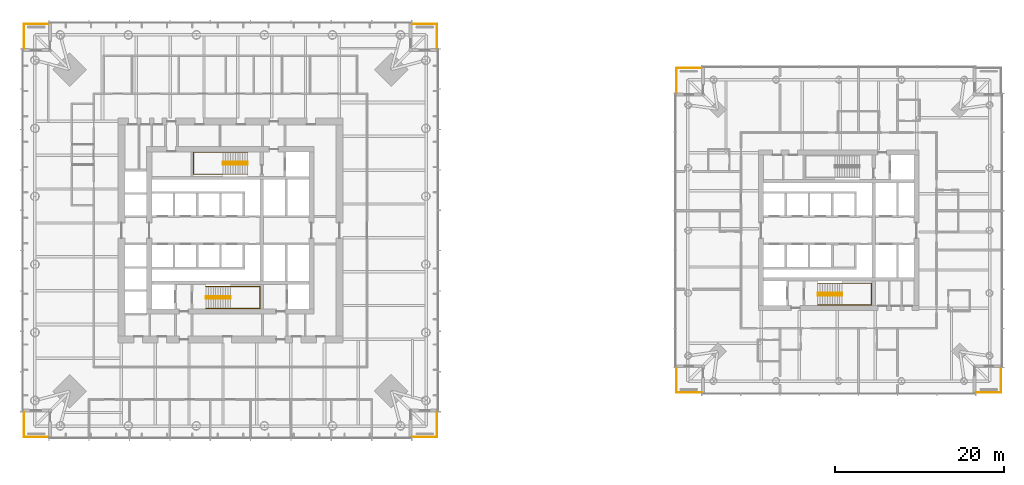
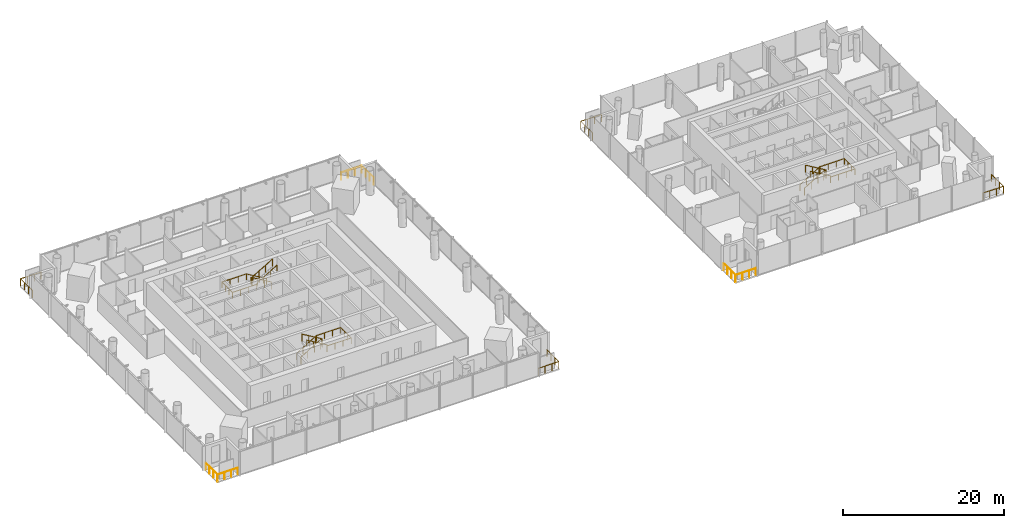
# One storey, part 20 of 21: 13 railings.
"""IFC4 building model written with IfcOpenShell, lengths in metres."""

from ifc_helpers import new_model, si_unit, direction, frame, origin, origin_2d, place, context, subcontext, project, spatial, circle, extrude, material, type_object, element, save


model = new_model("IFC4")

# Units and contexts
model_context = context("Model", 3, precision=1e-05, world=origin(), true_north=direction((0.0, 1.0)))
body_context = subcontext(model_context, "Body", "Model", "MODEL_VIEW")
ifc_project = project(units=[si_unit("LENGTHUNIT", "METRE"), si_unit("AREAUNIT", "SQUARE_METRE"), si_unit("VOLUMEUNIT", "CUBIC_METRE"), si_unit("PLANEANGLEUNIT", "RADIAN"), si_unit("MASSUNIT", "GRAM", prefix="KILO")], contexts=[model_context])

# Site, building, storey
site_placement = place(None, origin())
site = spatial("IfcSite", under=ifc_project, at=site_placement, CompositionType="ELEMENT")
building_placement = place(site_placement, origin())
building = spatial("IfcBuilding", under=site, at=building_placement, Name="Ostroluk Exchange", CompositionType="ELEMENT")
storey_placement = place(building_placement, frame((0.0, 0.0, 47.60009765625)))
storey = spatial("IfcBuildingStorey", under=building, at=storey_placement, Name="L11", CompositionType="ELEMENT", Elevation=47.60009765625)

# Railings
ifc_material_1 = material(Name="Stainless steel", Category="steel")
railing_type_1 = type_object("IfcRailingType", Name="Guard 1100 stainless steel", PredefinedType="GUARDRAIL", material=ifc_material_1)
railing_1_placement = place(storey_placement, frame((66.5, 21.550048828125, 0.0)))
element("IfcRailing", 1, at=railing_1_placement, inside=storey, type_object=railing_type_1, Name="Office tower SE balcony guard L11", PredefinedType="GUARDRAIL", context=body_context, shape_type="SweptSolid", body=[
    extrude(circle(Radius=0.02392578125, at=origin_2d()), frame((0.0, 0.0, 1.076171875), z_axis=(1.0, 0.0, 0.0), x_axis=(0.0, 1.0, 0.0)), (0.0, 0.0, 1.0), 2.949951171875),
    extrude(circle(Radius=0.02392578125, at=origin_2d()), frame((2.949951171875, 0.0, 1.076171875), z_axis=(0.0, 1.0, 0.0), x_axis=(-1.0, 0.0, 0.0)), (0.0, 0.0, 1.0), 2.949951171875),
    extrude(circle(Radius=0.02099609375, at=origin_2d()), origin(), (0.0, 0.0, 1.0), 1.052001953125),
    extrude(circle(Radius=0.02099609375, at=origin_2d()), frame((0.9833984375, 0.0, 0.0)), (0.0, 0.0, 1.0), 1.052001953125),
    extrude(circle(Radius=0.02099609375, at=origin_2d()), frame((1.966552734375, 0.0, 0.0)), (0.0, 0.0, 1.0), 1.052001953125),
    extrude(circle(Radius=0.02099609375, at=origin_2d()), frame((2.949951171875, 0.0, 0.0)), (0.0, 0.0, 1.0), 1.052001953125),
    extrude(circle(Radius=0.02099609375, at=origin_2d()), frame((2.949951171875, 0.9833984375, 0.0)), (0.0, 0.0, 1.0), 1.052001953125),
    extrude(circle(Radius=0.02099609375, at=origin_2d()), frame((2.949951171875, 1.966552734375, 0.0)), (0.0, 0.0, 1.0), 1.052001953125),
    extrude(circle(Radius=0.02099609375, at=origin_2d()), frame((2.949951171875, 2.949951171875, 0.0)), (0.0, 0.0, 1.0), 1.052001953125),
])
railing_2_placement = place(storey_placement, frame((66.5, 70.449951171875, 0.0)))
element("IfcRailing", 2, at=railing_2_placement, inside=storey, type_object=railing_type_1, Name="Office tower NE balcony guard L11", PredefinedType="GUARDRAIL", context=body_context, shape_type="SweptSolid", body=[
    extrude(circle(Radius=0.02392578125, at=origin_2d()), frame((0.0, 0.0, 1.076171875), z_axis=(1.0, 0.0, 0.0), x_axis=(0.0, 1.0, 0.0)), (0.0, 0.0, 1.0), 2.949951171875),
    extrude(circle(Radius=0.02392578125, at=origin_2d()), frame((2.949951171875, 0.0, 1.076171875), z_axis=(0.0, -1.0, 0.0), x_axis=(1.0, 0.0, 0.0)), (0.0, 0.0, 1.0), 2.949951171875),
    extrude(circle(Radius=0.02099609375, at=origin_2d()), origin(), (0.0, 0.0, 1.0), 1.052001953125),
    extrude(circle(Radius=0.02099609375, at=origin_2d()), frame((0.9833984375, 0.0, 0.0)), (0.0, 0.0, 1.0), 1.052001953125),
    extrude(circle(Radius=0.02099609375, at=origin_2d()), frame((1.966552734375, 0.0, 0.0)), (0.0, 0.0, 1.0), 1.052001953125),
    extrude(circle(Radius=0.02099609375, at=origin_2d()), frame((2.949951171875, 0.0, 0.0)), (0.0, 0.0, 1.0), 1.052001953125),
    extrude(circle(Radius=0.02099609375, at=origin_2d()), frame((2.949951171875, -0.9833984375, 0.0)), (0.0, 0.0, 1.0), 1.052001953125),
    extrude(circle(Radius=0.02099609375, at=origin_2d()), frame((2.949951171875, -1.966552734375, 0.0)), (0.0, 0.0, 1.0), 1.052001953125),
    extrude(circle(Radius=0.02099609375, at=origin_2d()), frame((2.949951171875, -2.949951171875, 0.0)), (0.0, 0.0, 1.0), 1.052001953125),
])
railing_3_placement = place(storey_placement, frame((23.5, 70.449951171875, 0.0)))
element("IfcRailing", 3, at=railing_3_placement, inside=storey, type_object=railing_type_1, Name="Office tower NW balcony guard L11", PredefinedType="GUARDRAIL", context=body_context, shape_type="SweptSolid", body=[
    extrude(circle(Radius=0.02392578125, at=origin_2d()), frame((0.0, 0.0, 1.076171875), z_axis=(-1.0, 0.0, 0.0), x_axis=(0.0, -1.0, 0.0)), (0.0, 0.0, 1.0), 2.949951171875),
    extrude(circle(Radius=0.02392578125, at=origin_2d()), frame((-2.949951171875, 0.0, 1.076171875), z_axis=(0.0, -1.0, 0.0), x_axis=(1.0, 0.0, 0.0)), (0.0, 0.0, 1.0), 2.949951171875),
    extrude(circle(Radius=0.02099609375, at=origin_2d()), origin(), (0.0, 0.0, 1.0), 1.052001953125),
    extrude(circle(Radius=0.02099609375, at=origin_2d()), frame((-0.9833984375, 0.0, 0.0)), (0.0, 0.0, 1.0), 1.052001953125),
    extrude(circle(Radius=0.02099609375, at=origin_2d()), frame((-1.966552734375, 0.0, 0.0)), (0.0, 0.0, 1.0), 1.052001953125),
    extrude(circle(Radius=0.02099609375, at=origin_2d()), frame((-2.949951171875, 0.0, 0.0)), (0.0, 0.0, 1.0), 1.052001953125),
    extrude(circle(Radius=0.02099609375, at=origin_2d()), frame((-2.949951171875, -0.9833984375, 0.0)), (0.0, 0.0, 1.0), 1.052001953125),
    extrude(circle(Radius=0.02099609375, at=origin_2d()), frame((-2.949951171875, -1.966552734375, 0.0)), (0.0, 0.0, 1.0), 1.052001953125),
    extrude(circle(Radius=0.02099609375, at=origin_2d()), frame((-2.949951171875, -2.949951171875, 0.0)), (0.0, 0.0, 1.0), 1.052001953125),
])
railing_4_placement = place(storey_placement, frame((23.5, 21.550048828125, 0.0)))
element("IfcRailing", 4, at=railing_4_placement, inside=storey, type_object=railing_type_1, Name="Office tower SW balcony guard L11", PredefinedType="GUARDRAIL", context=body_context, shape_type="SweptSolid", body=[
    extrude(circle(Radius=0.02392578125, at=origin_2d()), frame((0.0, 0.0, 1.076171875), z_axis=(-1.0, 0.0, 0.0), x_axis=(0.0, -1.0, 0.0)), (0.0, 0.0, 1.0), 2.949951171875),
    extrude(circle(Radius=0.02392578125, at=origin_2d()), frame((-2.949951171875, 0.0, 1.076171875), z_axis=(0.0, 1.0, 0.0), x_axis=(-1.0, 0.0, 0.0)), (0.0, 0.0, 1.0), 2.949951171875),
    extrude(circle(Radius=0.02099609375, at=origin_2d()), origin(), (0.0, 0.0, 1.0), 1.052001953125),
    extrude(circle(Radius=0.02099609375, at=origin_2d()), frame((-0.9833984375, 0.0, 0.0)), (0.0, 0.0, 1.0), 1.052001953125),
    extrude(circle(Radius=0.02099609375, at=origin_2d()), frame((-1.966552734375, 0.0, 0.0)), (0.0, 0.0, 1.0), 1.052001953125),
    extrude(circle(Radius=0.02099609375, at=origin_2d()), frame((-2.949951171875, 0.0, 0.0)), (0.0, 0.0, 1.0), 1.052001953125),
    extrude(circle(Radius=0.02099609375, at=origin_2d()), frame((-2.949951171875, 0.9833984375, 0.0)), (0.0, 0.0, 1.0), 1.052001953125),
    extrude(circle(Radius=0.02099609375, at=origin_2d()), frame((-2.949951171875, 1.966552734375, 0.0)), (0.0, 0.0, 1.0), 1.052001953125),
    extrude(circle(Radius=0.02099609375, at=origin_2d()), frame((-2.949951171875, 2.949951171875, 0.0)), (0.0, 0.0, 1.0), 1.052001953125),
])
railing_5_placement = place(storey_placement, frame((133.25, 26.800048828125, 0.0)))
element("IfcRailing", 5, at=railing_5_placement, inside=storey, type_object=railing_type_1, Name="Hotel tower SE balcony guard L11", PredefinedType="GUARDRAIL", context=body_context, shape_type="SweptSolid", body=[
    extrude(circle(Radius=0.02392578125, at=origin_2d()), frame((0.0, 0.0, 1.076171875), z_axis=(1.0, 0.0, 0.0), x_axis=(0.0, 1.0, 0.0)), (0.0, 0.0, 1.0), 2.949951171875),
    extrude(circle(Radius=0.02392578125, at=origin_2d()), frame((2.949951171875, 0.0, 1.076171875), z_axis=(0.0, 1.0, 0.0), x_axis=(-1.0, 0.0, 0.0)), (0.0, 0.0, 1.0), 2.949951171875),
    extrude(circle(Radius=0.02099609375, at=origin_2d()), origin(), (0.0, 0.0, 1.0), 1.052001953125),
    extrude(circle(Radius=0.02099609375, at=origin_2d()), frame((0.9833984375, 0.0, 0.0)), (0.0, 0.0, 1.0), 1.052001953125),
    extrude(circle(Radius=0.02099609375, at=origin_2d()), frame((1.966552734375, 0.0, 0.0)), (0.0, 0.0, 1.0), 1.052001953125),
    extrude(circle(Radius=0.02099609375, at=origin_2d()), frame((2.949951171875, 0.0, 0.0)), (0.0, 0.0, 1.0), 1.052001953125),
    extrude(circle(Radius=0.02099609375, at=origin_2d()), frame((2.949951171875, 0.9833984375, 0.0)), (0.0, 0.0, 1.0), 1.052001953125),
    extrude(circle(Radius=0.02099609375, at=origin_2d()), frame((2.949951171875, 1.966552734375, 0.0)), (0.0, 0.0, 1.0), 1.052001953125),
    extrude(circle(Radius=0.02099609375, at=origin_2d()), frame((2.949951171875, 2.949951171875, 0.0)), (0.0, 0.0, 1.0), 1.052001953125),
])
railing_6_placement = place(storey_placement, frame((100.75, 65.199951171875, 0.0)))
element("IfcRailing", 6, at=railing_6_placement, inside=storey, type_object=railing_type_1, Name="Hotel tower NW balcony guard L11", PredefinedType="GUARDRAIL", context=body_context, shape_type="SweptSolid", body=[
    extrude(circle(Radius=0.02392578125, at=origin_2d()), frame((0.0, 0.0, 1.076171875), z_axis=(-1.0, 0.0, 0.0), x_axis=(0.0, -1.0, 0.0)), (0.0, 0.0, 1.0), 2.949951171875),
    extrude(circle(Radius=0.02392578125, at=origin_2d()), frame((-2.949951171875, 0.0, 1.076171875), z_axis=(0.0, -1.0, 0.0), x_axis=(1.0, 0.0, 0.0)), (0.0, 0.0, 1.0), 2.949951171875),
    extrude(circle(Radius=0.02099609375, at=origin_2d()), origin(), (0.0, 0.0, 1.0), 1.052001953125),
    extrude(circle(Radius=0.02099609375, at=origin_2d()), frame((-0.9833984375, 0.0, 0.0)), (0.0, 0.0, 1.0), 1.052001953125),
    extrude(circle(Radius=0.02099609375, at=origin_2d()), frame((-1.966552734375, 0.0, 0.0)), (0.0, 0.0, 1.0), 1.052001953125),
    extrude(circle(Radius=0.02099609375, at=origin_2d()), frame((-2.949951171875, 0.0, 0.0)), (0.0, 0.0, 1.0), 1.052001953125),
    extrude(circle(Radius=0.02099609375, at=origin_2d()), frame((-2.949951171875, -0.9833984375, 0.0)), (0.0, 0.0, 1.0), 1.052001953125),
    extrude(circle(Radius=0.02099609375, at=origin_2d()), frame((-2.949951171875, -1.966552734375, 0.0)), (0.0, 0.0, 1.0), 1.052001953125),
    extrude(circle(Radius=0.02099609375, at=origin_2d()), frame((-2.949951171875, -2.949951171875, 0.0)), (0.0, 0.0, 1.0), 1.052001953125),
])
railing_7_placement = place(storey_placement, frame((100.75, 26.800048828125, 0.0)))
element("IfcRailing", 7, at=railing_7_placement, inside=storey, type_object=railing_type_1, Name="Hotel tower SW balcony guard L11", PredefinedType="GUARDRAIL", context=body_context, shape_type="SweptSolid", body=[
    extrude(circle(Radius=0.02392578125, at=origin_2d()), frame((0.0, 0.0, 1.076171875), z_axis=(-1.0, 0.0, 0.0), x_axis=(0.0, -1.0, 0.0)), (0.0, 0.0, 1.0), 2.949951171875),
    extrude(circle(Radius=0.02392578125, at=origin_2d()), frame((-2.949951171875, 0.0, 1.076171875), z_axis=(0.0, 1.0, 0.0), x_axis=(-1.0, 0.0, 0.0)), (0.0, 0.0, 1.0), 2.949951171875),
    extrude(circle(Radius=0.02099609375, at=origin_2d()), origin(), (0.0, 0.0, 1.0), 1.052001953125),
    extrude(circle(Radius=0.02099609375, at=origin_2d()), frame((-0.9833984375, 0.0, 0.0)), (0.0, 0.0, 1.0), 1.052001953125),
    extrude(circle(Radius=0.02099609375, at=origin_2d()), frame((-1.966552734375, 0.0, 0.0)), (0.0, 0.0, 1.0), 1.052001953125),
    extrude(circle(Radius=0.02099609375, at=origin_2d()), frame((-2.949951171875, 0.0, 0.0)), (0.0, 0.0, 1.0), 1.052001953125),
    extrude(circle(Radius=0.02099609375, at=origin_2d()), frame((-2.949951171875, 0.9833984375, 0.0)), (0.0, 0.0, 1.0), 1.052001953125),
    extrude(circle(Radius=0.02099609375, at=origin_2d()), frame((-2.949951171875, 1.966552734375, 0.0)), (0.0, 0.0, 1.0), 1.052001953125),
    extrude(circle(Radius=0.02099609375, at=origin_2d()), frame((-2.949951171875, 2.949951171875, 0.0)), (0.0, 0.0, 1.0), 1.052001953125),
])
ifc_material_2 = material(Name="Steel S355", Category="steel")
railing_type_2 = type_object("IfcRailingType", Name="Stair guard 1100", PredefinedType="GUARDRAIL", material=ifc_material_2)
railing_8_placement = place(storey_placement, frame((42.10009765625, 38.179931640625, 0.172607421875)))
element("IfcRailing", 8, at=railing_8_placement, inside=storey, type_object=railing_type_2, Name="Stair T1-S1 guard L11", PredefinedType="GUARDRAIL", context=body_context, shape_type="SweptSolid", body=[
    extrude(circle(Radius=0.02392578125, at=origin_2d()), frame((0.0, 0.0, 1.076171875), z_axis=(0.859141464434, 0.0, 0.511738159696), x_axis=(0.0, 1.0, 0.0)), (0.0, 0.0, 1.0), 3.375244140625),
    extrude(circle(Radius=0.02392578125, at=origin_2d()), frame((2.89990234375, 0.0, 2.80322265625), z_axis=(0.0, -1.0, 0.0), x_axis=(1.0, 0.0, 0.0)), (0.0, 0.0, 1.0), 0.260009765625),
    extrude(circle(Radius=0.02392578125, at=origin_2d()), frame((2.89990234375, -0.260009765625, 2.80322265625), z_axis=(0.0, 0.0, 1.0), x_axis=(1.0, 0.0, 0.0)), (0.0, 0.0, 1.0), 0.172607421875),
    extrude(circle(Radius=0.02392578125, at=origin_2d()), frame((2.89990234375, -0.260009765625, 2.97607421875), z_axis=(-0.859141464434, 0.0, 0.511738159696), x_axis=(0.0, -1.0, 0.0)), (0.0, 0.0, 1.0), 3.375244140625),
    extrude(circle(Radius=0.02099609375, at=origin_2d()), origin(), (0.0, 0.0, 1.0), 1.052001953125),
    extrude(circle(Radius=0.02099609375, at=origin_2d()), frame((0.966552734375, 0.0, 0.57568359375)), (0.0, 0.0, 1.0), 1.052001953125),
    extrude(circle(Radius=0.02099609375, at=origin_2d()), frame((1.933349609375, 0.0, 1.151611328125)), (0.0, 0.0, 1.0), 1.052001953125),
    extrude(circle(Radius=0.02099609375, at=origin_2d()), frame((2.89990234375, 0.0, 1.727294921875)), (0.0, 0.0, 1.0), 1.052001953125),
    extrude(circle(Radius=0.02099609375, at=origin_2d()), frame((2.89990234375, -0.260009765625, 1.727294921875)), (0.0, 0.0, 1.0), 1.052001953125),
    extrude(circle(Radius=0.02099609375, at=origin_2d()), frame((2.89990234375, -0.260009765625, 1.89990234375)), (0.0, 0.0, 1.0), 1.052001953125),
    extrude(circle(Radius=0.02099609375, at=origin_2d()), frame((1.933349609375, -0.260009765625, 2.4755859375)), (0.0, 0.0, 1.0), 1.052001953125),
    extrude(circle(Radius=0.02099609375, at=origin_2d()), frame((0.966552734375, -0.260009765625, 3.051513671875)), (0.0, 0.0, 1.0), 1.052001953125),
    extrude(circle(Radius=0.02099609375, at=origin_2d()), frame((0.0, -0.260009765625, 3.627197265625)), (0.0, 0.0, 1.0), 1.052001953125),
])
railing_9_placement = place(storey_placement, frame((47.030029296875, 54.080078125, 0.172607421875)))
element("IfcRailing", 9, at=railing_9_placement, inside=storey, type_object=railing_type_2, Name="Stair T1-S2 guard L11", PredefinedType="GUARDRAIL", context=body_context, shape_type="SweptSolid", body=[
    extrude(circle(Radius=0.02392578125, at=origin_2d()), frame((0.0, 0.0, 1.076171875), z_axis=(-0.859160404282, 0.0, 0.51170636083), x_axis=(0.0, -1.0, 0.0)), (0.0, 0.0, 1.0), 3.37548828125),
    extrude(circle(Radius=0.02392578125, at=origin_2d()), frame((-2.900146484375, 0.0, 2.80322265625), z_axis=(0.0, -1.0, 0.0), x_axis=(1.0, 0.0, 0.0)), (0.0, 0.0, 1.0), 0.260009765625),
    extrude(circle(Radius=0.02392578125, at=origin_2d()), frame((-2.900146484375, -0.260009765625, 2.80322265625), z_axis=(0.0, 0.0, 1.0), x_axis=(1.0, 0.0, 0.0)), (0.0, 0.0, 1.0), 0.172607421875),
    extrude(circle(Radius=0.02392578125, at=origin_2d()), frame((-2.900146484375, -0.260009765625, 2.97607421875), z_axis=(0.859160404282, 0.0, 0.51170636083), x_axis=(0.0, 1.0, 0.0)), (0.0, 0.0, 1.0), 3.37548828125),
    extrude(circle(Radius=0.02099609375, at=origin_2d()), origin(), (0.0, 0.0, 1.0), 1.052001953125),
    extrude(circle(Radius=0.02099609375, at=origin_2d()), frame((-0.966796875, 0.0, 0.57568359375)), (0.0, 0.0, 1.0), 1.052001953125),
    extrude(circle(Radius=0.02099609375, at=origin_2d()), frame((-1.933349609375, 0.0, 1.151611328125)), (0.0, 0.0, 1.0), 1.052001953125),
    extrude(circle(Radius=0.02099609375, at=origin_2d()), frame((-2.900146484375, 0.0, 1.727294921875)), (0.0, 0.0, 1.0), 1.052001953125),
    extrude(circle(Radius=0.02099609375, at=origin_2d()), frame((-2.900146484375, -0.260009765625, 1.727294921875)), (0.0, 0.0, 1.0), 1.052001953125),
    extrude(circle(Radius=0.02099609375, at=origin_2d()), frame((-2.900146484375, -0.260009765625, 1.89990234375)), (0.0, 0.0, 1.0), 1.052001953125),
    extrude(circle(Radius=0.02099609375, at=origin_2d()), frame((-1.933349609375, -0.260009765625, 2.4755859375)), (0.0, 0.0, 1.0), 1.052001953125),
    extrude(circle(Radius=0.02099609375, at=origin_2d()), frame((-0.966796875, -0.260009765625, 3.051513671875)), (0.0, 0.0, 1.0), 1.052001953125),
    extrude(circle(Radius=0.02099609375, at=origin_2d()), frame((0.0, -0.260009765625, 3.627197265625)), (0.0, 0.0, 1.0), 1.052001953125),
])
railing_10_placement = place(storey_placement, frame((114.5, 38.580078125, 0.172607421875)))
element("IfcRailing", 10, at=railing_10_placement, inside=storey, type_object=railing_type_2, Name="Stair T2-S1 guard L11", PredefinedType="GUARDRAIL", context=body_context, shape_type="SweptSolid", body=[
    extrude(circle(Radius=0.02392578125, at=origin_2d()), frame((0.0, 0.0, 1.076171875), z_axis=(0.859141464434, 0.0, 0.511738159696), x_axis=(0.0, 1.0, 0.0)), (0.0, 0.0, 1.0), 3.375244140625),
    extrude(circle(Radius=0.02392578125, at=origin_2d()), frame((2.89990234375, 0.0, 2.80322265625), z_axis=(0.0, -1.0, 0.0), x_axis=(1.0, 0.0, 0.0)), (0.0, 0.0, 1.0), 0.260009765625),
    extrude(circle(Radius=0.02392578125, at=origin_2d()), frame((2.89990234375, -0.260009765625, 2.80322265625), z_axis=(0.0, 0.0, 1.0), x_axis=(1.0, 0.0, 0.0)), (0.0, 0.0, 1.0), 0.172607421875),
    extrude(circle(Radius=0.02392578125, at=origin_2d()), frame((2.89990234375, -0.260009765625, 2.97607421875), z_axis=(-0.859141464434, 0.0, 0.511738159696), x_axis=(0.0, -1.0, 0.0)), (0.0, 0.0, 1.0), 3.375244140625),
    extrude(circle(Radius=0.02099609375, at=origin_2d()), origin(), (0.0, 0.0, 1.0), 1.052001953125),
    extrude(circle(Radius=0.02099609375, at=origin_2d()), frame((0.966552734375, 0.0, 0.57568359375)), (0.0, 0.0, 1.0), 1.052001953125),
    extrude(circle(Radius=0.02099609375, at=origin_2d()), frame((1.933349609375, 0.0, 1.151611328125)), (0.0, 0.0, 1.0), 1.052001953125),
    extrude(circle(Radius=0.02099609375, at=origin_2d()), frame((2.89990234375, 0.0, 1.727294921875)), (0.0, 0.0, 1.0), 1.052001953125),
    extrude(circle(Radius=0.02099609375, at=origin_2d()), frame((2.89990234375, -0.260009765625, 1.727294921875)), (0.0, 0.0, 1.0), 1.052001953125),
    extrude(circle(Radius=0.02099609375, at=origin_2d()), frame((2.89990234375, -0.260009765625, 1.89990234375)), (0.0, 0.0, 1.0), 1.052001953125),
    extrude(circle(Radius=0.02099609375, at=origin_2d()), frame((1.933349609375, -0.260009765625, 2.4755859375)), (0.0, 0.0, 1.0), 1.052001953125),
    extrude(circle(Radius=0.02099609375, at=origin_2d()), frame((0.966552734375, -0.260009765625, 3.051513671875)), (0.0, 0.0, 1.0), 1.052001953125),
    extrude(circle(Radius=0.02099609375, at=origin_2d()), frame((0.0, -0.260009765625, 3.627197265625)), (0.0, 0.0, 1.0), 1.052001953125),
])
ifc_material_3 = material(Name="Stainless steel", Category="steel")
railing_type_3 = type_object("IfcRailingType", Name="Stair handrail 900", PredefinedType="HANDRAIL", material=ifc_material_3)
railing_11_placement = place(storey_placement, frame((42.10009765625, 39.35009765625, 0.172607421875)))
element("IfcRailing", 11, at=railing_11_placement, inside=storey, type_object=railing_type_3, Name="Stair T1-S1 handrail L11", PredefinedType="HANDRAIL", context=body_context, shape_type="SweptSolid", body=[
    extrude(circle(Radius=0.02392578125, at=origin_2d()), frame((0.0, 0.0, 0.8759765625), z_axis=(0.859141464434, 0.0, 0.511738159696), x_axis=(0.0, 1.0, 0.0)), (0.0, 0.0, 1.0), 3.375244140625),
    extrude(circle(Radius=0.02392578125, at=origin_2d()), frame((2.89990234375, 0.0, 2.60302734375), z_axis=(1.0, 0.0, 0.0), x_axis=(0.0, 1.0, 0.0)), (0.0, 0.0, 1.0), 3.47998046875),
    extrude(circle(Radius=0.02392578125, at=origin_2d()), frame((6.3798828125, 0.0, 2.60302734375), z_axis=(0.0, -1.0, 0.0), x_axis=(1.0, 0.0, 0.0)), (0.0, 0.0, 1.0), 2.60009765625),
    extrude(circle(Radius=0.02392578125, at=origin_2d()), frame((6.3798828125, -2.60009765625, 2.60302734375), z_axis=(-1.0, 0.0, 0.0), x_axis=(0.0, -1.0, 0.0)), (0.0, 0.0, 1.0), 3.47998046875),
    extrude(circle(Radius=0.02392578125, at=origin_2d()), frame((2.89990234375, -2.60009765625, 2.60302734375), z_axis=(0.0, 0.0, 1.0), x_axis=(1.0, 0.0, 0.0)), (0.0, 0.0, 1.0), 0.172607421875),
    extrude(circle(Radius=0.02392578125, at=origin_2d()), frame((2.89990234375, -2.60009765625, 2.77587890625), z_axis=(-0.859141464434, 0.0, 0.511738159696), x_axis=(0.0, -1.0, 0.0)), (0.0, 0.0, 1.0), 3.375244140625),
    extrude(circle(Radius=0.02099609375, at=origin_2d()), origin(), (0.0, 0.0, 1.0), 0.851806640625),
    extrude(circle(Radius=0.02099609375, at=origin_2d()), frame((0.966552734375, 0.0, 0.57568359375)), (0.0, 0.0, 1.0), 0.851806640625),
    extrude(circle(Radius=0.02099609375, at=origin_2d()), frame((1.933349609375, 0.0, 1.151611328125)), (0.0, 0.0, 1.0), 0.851806640625),
    extrude(circle(Radius=0.02099609375, at=origin_2d()), frame((2.89990234375, 0.0, 1.727294921875)), (0.0, 0.0, 1.0), 0.851806640625),
    extrude(circle(Radius=0.02099609375, at=origin_2d()), frame((4.059814453125, 0.0, 1.727294921875)), (0.0, 0.0, 1.0), 0.851806640625),
    extrude(circle(Radius=0.02099609375, at=origin_2d()), frame((5.219970703125, 0.0, 1.727294921875)), (0.0, 0.0, 1.0), 0.851806640625),
    extrude(circle(Radius=0.02099609375, at=origin_2d()), frame((6.3798828125, 0.0, 1.727294921875)), (0.0, 0.0, 1.0), 0.851806640625),
    extrude(circle(Radius=0.02099609375, at=origin_2d()), frame((6.3798828125, -0.86669921875, 1.727294921875)), (0.0, 0.0, 1.0), 0.851806640625),
    extrude(circle(Radius=0.02099609375, at=origin_2d()), frame((6.3798828125, -1.7333984375, 1.727294921875)), (0.0, 0.0, 1.0), 0.851806640625),
    extrude(circle(Radius=0.02099609375, at=origin_2d()), frame((6.3798828125, -2.60009765625, 1.727294921875)), (0.0, 0.0, 1.0), 0.851806640625),
    extrude(circle(Radius=0.02099609375, at=origin_2d()), frame((5.219970703125, -2.60009765625, 1.727294921875)), (0.0, 0.0, 1.0), 0.851806640625),
    extrude(circle(Radius=0.02099609375, at=origin_2d()), frame((4.059814453125, -2.60009765625, 1.727294921875)), (0.0, 0.0, 1.0), 0.851806640625),
    extrude(circle(Radius=0.02099609375, at=origin_2d()), frame((2.89990234375, -2.60009765625, 1.727294921875)), (0.0, 0.0, 1.0), 0.851806640625),
    extrude(circle(Radius=0.02099609375, at=origin_2d()), frame((2.89990234375, -2.60009765625, 1.89990234375)), (0.0, 0.0, 1.0), 0.851806640625),
    extrude(circle(Radius=0.02099609375, at=origin_2d()), frame((1.933349609375, -2.60009765625, 2.4755859375)), (0.0, 0.0, 1.0), 0.851806640625),
    extrude(circle(Radius=0.02099609375, at=origin_2d()), frame((0.966552734375, -2.60009765625, 3.051513671875)), (0.0, 0.0, 1.0), 0.851806640625),
    extrude(circle(Radius=0.02099609375, at=origin_2d()), frame((0.0, -2.60009765625, 3.627197265625)), (0.0, 0.0, 1.0), 0.851806640625),
])
railing_12_placement = place(storey_placement, frame((47.030029296875, 55.25, 0.172607421875)))
element("IfcRailing", 12, at=railing_12_placement, inside=storey, type_object=railing_type_3, Name="Stair T1-S2 handrail L11", PredefinedType="HANDRAIL", context=body_context, shape_type="SweptSolid", body=[
    extrude(circle(Radius=0.02392578125, at=origin_2d()), frame((0.0, 0.0, 0.8759765625), z_axis=(-0.859160404282, 0.0, 0.51170636083), x_axis=(0.0, -1.0, 0.0)), (0.0, 0.0, 1.0), 3.37548828125),
    extrude(circle(Radius=0.02392578125, at=origin_2d()), frame((-2.900146484375, 0.0, 2.60302734375), z_axis=(-1.0, 0.0, 0.0), x_axis=(0.0, -1.0, 0.0)), (0.0, 0.0, 1.0), 3.47998046875),
    extrude(circle(Radius=0.02392578125, at=origin_2d()), frame((-6.380126953125, 0.0, 2.60302734375), z_axis=(0.0, -1.0, 0.0), x_axis=(1.0, 0.0, 0.0)), (0.0, 0.0, 1.0), 2.60009765625),
    extrude(circle(Radius=0.02392578125, at=origin_2d()), frame((-6.380126953125, -2.60009765625, 2.60302734375), z_axis=(1.0, 0.0, 0.0), x_axis=(0.0, 1.0, 0.0)), (0.0, 0.0, 1.0), 3.47998046875),
    extrude(circle(Radius=0.02392578125, at=origin_2d()), frame((-2.900146484375, -2.60009765625, 2.60302734375), z_axis=(0.0, 0.0, 1.0), x_axis=(1.0, 0.0, 0.0)), (0.0, 0.0, 1.0), 0.172607421875),
    extrude(circle(Radius=0.02392578125, at=origin_2d()), frame((-2.900146484375, -2.60009765625, 2.77587890625), z_axis=(0.859160404282, 0.0, 0.51170636083), x_axis=(0.0, 1.0, 0.0)), (0.0, 0.0, 1.0), 3.37548828125),
    extrude(circle(Radius=0.02099609375, at=origin_2d()), origin(), (0.0, 0.0, 1.0), 0.851806640625),
    extrude(circle(Radius=0.02099609375, at=origin_2d()), frame((-0.966796875, 0.0, 0.57568359375)), (0.0, 0.0, 1.0), 0.851806640625),
    extrude(circle(Radius=0.02099609375, at=origin_2d()), frame((-1.933349609375, 0.0, 1.151611328125)), (0.0, 0.0, 1.0), 0.851806640625),
    extrude(circle(Radius=0.02099609375, at=origin_2d()), frame((-2.900146484375, 0.0, 1.727294921875)), (0.0, 0.0, 1.0), 0.851806640625),
    extrude(circle(Radius=0.02099609375, at=origin_2d()), frame((-4.06005859375, 0.0, 1.727294921875)), (0.0, 0.0, 1.0), 0.851806640625),
    extrude(circle(Radius=0.02099609375, at=origin_2d()), frame((-5.22021484375, 0.0, 1.727294921875)), (0.0, 0.0, 1.0), 0.851806640625),
    extrude(circle(Radius=0.02099609375, at=origin_2d()), frame((-6.380126953125, 0.0, 1.727294921875)), (0.0, 0.0, 1.0), 0.851806640625),
    extrude(circle(Radius=0.02099609375, at=origin_2d()), frame((-6.380126953125, -0.86669921875, 1.727294921875)), (0.0, 0.0, 1.0), 0.851806640625),
    extrude(circle(Radius=0.02099609375, at=origin_2d()), frame((-6.380126953125, -1.7333984375, 1.727294921875)), (0.0, 0.0, 1.0), 0.851806640625),
    extrude(circle(Radius=0.02099609375, at=origin_2d()), frame((-6.380126953125, -2.60009765625, 1.727294921875)), (0.0, 0.0, 1.0), 0.851806640625),
    extrude(circle(Radius=0.02099609375, at=origin_2d()), frame((-5.22021484375, -2.60009765625, 1.727294921875)), (0.0, 0.0, 1.0), 0.851806640625),
    extrude(circle(Radius=0.02099609375, at=origin_2d()), frame((-4.06005859375, -2.60009765625, 1.727294921875)), (0.0, 0.0, 1.0), 0.851806640625),
    extrude(circle(Radius=0.02099609375, at=origin_2d()), frame((-2.900146484375, -2.60009765625, 1.727294921875)), (0.0, 0.0, 1.0), 0.851806640625),
    extrude(circle(Radius=0.02099609375, at=origin_2d()), frame((-2.900146484375, -2.60009765625, 1.89990234375)), (0.0, 0.0, 1.0), 0.851806640625),
    extrude(circle(Radius=0.02099609375, at=origin_2d()), frame((-1.933349609375, -2.60009765625, 2.4755859375)), (0.0, 0.0, 1.0), 0.851806640625),
    extrude(circle(Radius=0.02099609375, at=origin_2d()), frame((-0.966796875, -2.60009765625, 3.051513671875)), (0.0, 0.0, 1.0), 0.851806640625),
    extrude(circle(Radius=0.02099609375, at=origin_2d()), frame((0.0, -2.60009765625, 3.627197265625)), (0.0, 0.0, 1.0), 0.851806640625),
])
railing_13_placement = place(storey_placement, frame((114.5, 39.75, 0.172607421875)))
element("IfcRailing", 13, at=railing_13_placement, inside=storey, type_object=railing_type_3, Name="Stair T2-S1 handrail L11", PredefinedType="HANDRAIL", context=body_context, shape_type="SweptSolid", body=[
    extrude(circle(Radius=0.02392578125, at=origin_2d()), frame((0.0, 0.0, 0.8759765625), z_axis=(0.859141464434, 0.0, 0.511738159696), x_axis=(0.0, 1.0, 0.0)), (0.0, 0.0, 1.0), 3.375244140625),
    extrude(circle(Radius=0.02392578125, at=origin_2d()), frame((2.89990234375, 0.0, 2.60302734375), z_axis=(1.0, 0.0, 0.0), x_axis=(0.0, 1.0, 0.0)), (0.0, 0.0, 1.0), 3.47998046875),
    extrude(circle(Radius=0.02392578125, at=origin_2d()), frame((6.3798828125, 0.0, 2.60302734375), z_axis=(0.0, -1.0, 0.0), x_axis=(1.0, 0.0, 0.0)), (0.0, 0.0, 1.0), 2.60009765625),
    extrude(circle(Radius=0.02392578125, at=origin_2d()), frame((6.3798828125, -2.60009765625, 2.60302734375), z_axis=(-1.0, 0.0, 0.0), x_axis=(0.0, -1.0, 0.0)), (0.0, 0.0, 1.0), 3.47998046875),
    extrude(circle(Radius=0.02392578125, at=origin_2d()), frame((2.89990234375, -2.60009765625, 2.60302734375), z_axis=(0.0, 0.0, 1.0), x_axis=(1.0, 0.0, 0.0)), (0.0, 0.0, 1.0), 0.172607421875),
    extrude(circle(Radius=0.02392578125, at=origin_2d()), frame((2.89990234375, -2.60009765625, 2.77587890625), z_axis=(-0.859141464434, 0.0, 0.511738159696), x_axis=(0.0, -1.0, 0.0)), (0.0, 0.0, 1.0), 3.375244140625),
    extrude(circle(Radius=0.02099609375, at=origin_2d()), origin(), (0.0, 0.0, 1.0), 0.851806640625),
    extrude(circle(Radius=0.02099609375, at=origin_2d()), frame((0.966552734375, 0.0, 0.57568359375)), (0.0, 0.0, 1.0), 0.851806640625),
    extrude(circle(Radius=0.02099609375, at=origin_2d()), frame((1.933349609375, 0.0, 1.151611328125)), (0.0, 0.0, 1.0), 0.851806640625),
    extrude(circle(Radius=0.02099609375, at=origin_2d()), frame((2.89990234375, 0.0, 1.727294921875)), (0.0, 0.0, 1.0), 0.851806640625),
    extrude(circle(Radius=0.02099609375, at=origin_2d()), frame((4.059814453125, 0.0, 1.727294921875)), (0.0, 0.0, 1.0), 0.851806640625),
    extrude(circle(Radius=0.02099609375, at=origin_2d()), frame((5.219970703125, 0.0, 1.727294921875)), (0.0, 0.0, 1.0), 0.851806640625),
    extrude(circle(Radius=0.02099609375, at=origin_2d()), frame((6.3798828125, 0.0, 1.727294921875)), (0.0, 0.0, 1.0), 0.851806640625),
    extrude(circle(Radius=0.02099609375, at=origin_2d()), frame((6.3798828125, -0.86669921875, 1.727294921875)), (0.0, 0.0, 1.0), 0.851806640625),
    extrude(circle(Radius=0.02099609375, at=origin_2d()), frame((6.3798828125, -1.7333984375, 1.727294921875)), (0.0, 0.0, 1.0), 0.851806640625),
    extrude(circle(Radius=0.02099609375, at=origin_2d()), frame((6.3798828125, -2.60009765625, 1.727294921875)), (0.0, 0.0, 1.0), 0.851806640625),
    extrude(circle(Radius=0.02099609375, at=origin_2d()), frame((5.219970703125, -2.60009765625, 1.727294921875)), (0.0, 0.0, 1.0), 0.851806640625),
    extrude(circle(Radius=0.02099609375, at=origin_2d()), frame((4.059814453125, -2.60009765625, 1.727294921875)), (0.0, 0.0, 1.0), 0.851806640625),
    extrude(circle(Radius=0.02099609375, at=origin_2d()), frame((2.89990234375, -2.60009765625, 1.727294921875)), (0.0, 0.0, 1.0), 0.851806640625),
    extrude(circle(Radius=0.02099609375, at=origin_2d()), frame((2.89990234375, -2.60009765625, 1.89990234375)), (0.0, 0.0, 1.0), 0.851806640625),
    extrude(circle(Radius=0.02099609375, at=origin_2d()), frame((1.933349609375, -2.60009765625, 2.4755859375)), (0.0, 0.0, 1.0), 0.851806640625),
    extrude(circle(Radius=0.02099609375, at=origin_2d()), frame((0.966552734375, -2.60009765625, 3.051513671875)), (0.0, 0.0, 1.0), 0.851806640625),
    extrude(circle(Radius=0.02099609375, at=origin_2d()), frame((0.0, -2.60009765625, 3.627197265625)), (0.0, 0.0, 1.0), 0.851806640625),
])

save(model, "model.ifc")
